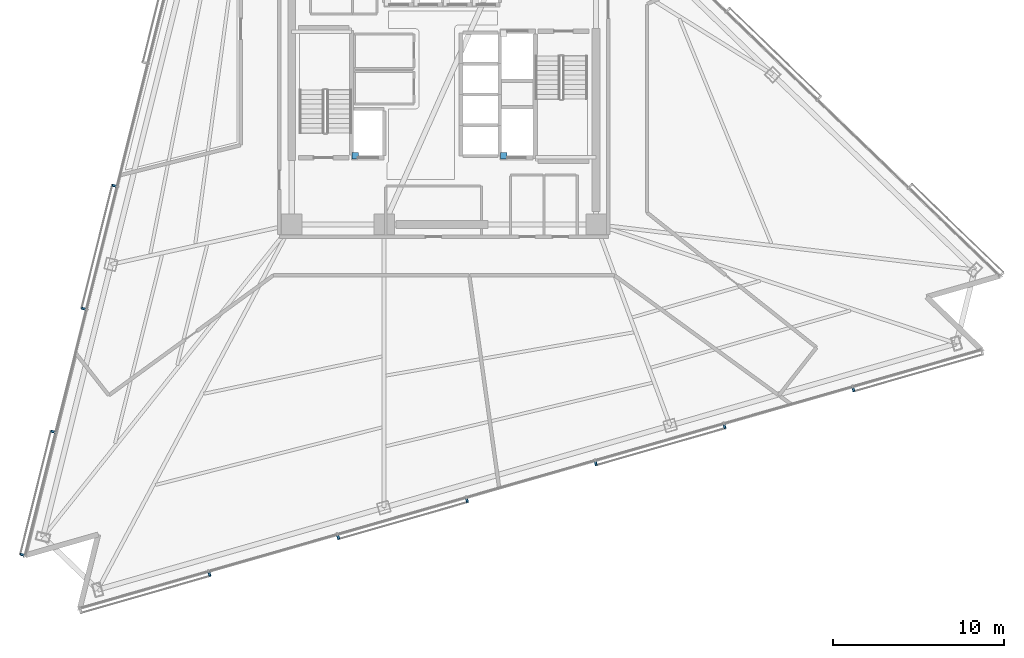
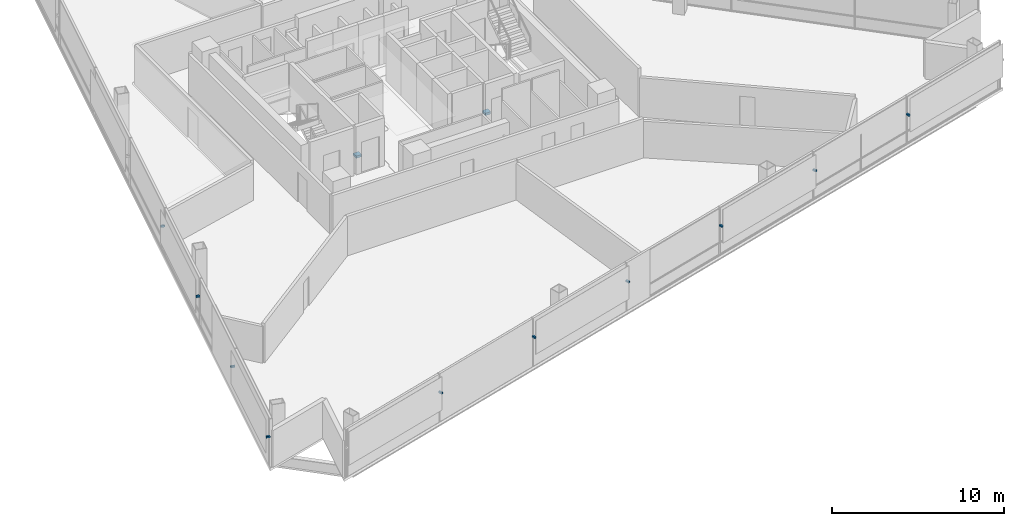
# One storey, part 12 of 18: 12 discrete accessories.
"""IFC4 building model written with IfcOpenShell, lengths in metres."""

from ifc_helpers import new_model, si_unit, direction, frame, origin, origin_2d, place, context, subcontext, project, spatial, rectangle, extrude, material, type_object, element, save


model = new_model("IFC4")

# Units and contexts
model_context = context("Model", 3, precision=1e-05, world=origin(), true_north=direction((0.0, 1.0)))
body_context = subcontext(model_context, "Body", "Model", "MODEL_VIEW")
ifc_project = project(units=[si_unit("LENGTHUNIT", "METRE"), si_unit("AREAUNIT", "SQUARE_METRE"), si_unit("VOLUMEUNIT", "CUBIC_METRE"), si_unit("PLANEANGLEUNIT", "RADIAN"), si_unit("MASSUNIT", "GRAM", prefix="KILO")], contexts=[model_context])

# Site, building, storey
site_placement = place(None, origin())
site = spatial("IfcSite", under=ifc_project, at=site_placement, CompositionType="ELEMENT")
building_placement = place(site_placement, origin())
building = spatial("IfcBuilding", under=site, at=building_placement, Name="Tharavind Bronze Gate", CompositionType="ELEMENT")
storey_placement = place(building_placement, frame((0.0, 0.0, 100.5)))
storey = spatial("IfcBuildingStorey", under=building, at=storey_placement, Name="L25", CompositionType="ELEMENT", Elevation=100.5)

# Discrete accessories
ifc_material_1 = material(Name="Galvanised Steel S355", Category="steel")
discrete_accessory_type_1 = type_object("IfcDiscreteAccessoryType", Name="LIFT GUIDE RAIL BRACKET", PredefinedType="BRACKET", material=ifc_material_1)
for number, where, z_axis, x_axis, name in (
    (1, (-5.179931640625, -3.580078125, 1.1201171875), (0.0, 0.0, 1.0), (1.0, 0.0, 0.0), "Lift FFL1 guide rail bracket at L25"),
    (2, (3.5, -3.580078125, 1.1201171875), (0.0, 0.0, 1.0), (1.0, 0.0, 0.0), "Lift SVL1 guide rail bracket at L25"),
):
    element("IfcDiscreteAccessory", number, at=place(storey_placement, frame(where, z_axis=z_axis, x_axis=x_axis)), inside=storey, type_object=discrete_accessory_type_1, Name=name, PredefinedType="BRACKET", context=body_context, shape_type="SweptSolid", body=[
        extrude(rectangle(XDim=0.360107421875, YDim=0.360107421875, at=origin_2d()), origin(), (0.0, 0.0, 1.0), 0.159912109375),
    ])
ifc_material_2 = material(Name="Stainless Steel 316", Category="steel")
discrete_accessory_type_2 = type_object("IfcDiscreteAccessoryType", Name="SOLAR SCREEN STANDOFF BRACKET", PredefinedType="BRACKET", material=ifc_material_2)
for number, where, z_axis, x_axis, name in (
    (3, (-19.282958984375, -5.338134765625, 2.094970703125), (0.0, 0.0, 1.0), (-0.2419218956, -0.970295726276, 0.0), "CW-L25-S1 solar screen bracket 5.1"),
    (4, (-21.07666015625, -12.531982421875, 2.094970703125), (0.0, 0.0, 1.0), (-0.2419218956, -0.970295726276, 0.0), "CW-L25-S1 solar screen bracket 5.2"),
    (5, (-22.870361328125, -19.72607421875, 2.094970703125), (0.0, 0.0, 1.0), (-0.2419218956, -0.970295726276, 0.0), "CW-L25-S1 solar screen bracket 7.1"),
    (6, (-24.6640625, -26.920166015625, 2.094970703125), (0.0, 0.0, 1.0), (-0.2419218956, -0.970295726276, 0.0), "CW-L25-S1 solar screen bracket 7.2"),
    (7, (-13.71240234375, -28.060546875, 2.094970703125), (0.0, 0.0, 1.0), (0.961261695938, 0.275637355817, 0.0), "CW-L25-S2 solar screen bracket 1.2"),
    (8, (-6.178955078125, -25.900390625, 2.094970703125), (0.0, 0.0, 1.0), (0.961261695938, 0.275637355817, 0.0), "CW-L25-S2 solar screen bracket 3.1"),
    (9, (1.3544921875, -23.740234375, 2.094970703125), (0.0, 0.0, 1.0), (0.961261695938, 0.275637355817, 0.0), "CW-L25-S2 solar screen bracket 3.2"),
    (10, (8.887939453125, -21.580078125, 2.094970703125), (0.0, 0.0, 1.0), (0.961261695938, 0.275637355817, 0.0), "CW-L25-S2 solar screen bracket 5.1"),
    (11, (16.42138671875, -19.419921875, 2.094970703125), (0.0, 0.0, 1.0), (0.961261695938, 0.275637355817, 0.0), "CW-L25-S2 solar screen bracket 5.2"),
    (12, (23.954833984375, -17.259765625, 2.094970703125), (0.0, 0.0, 1.0), (0.961261695938, 0.275637355817, 0.0), "CW-L25-S2 solar screen bracket 7.1"),
):
    element("IfcDiscreteAccessory", number, at=place(storey_placement, frame(where, z_axis=z_axis, x_axis=x_axis)), inside=storey, type_object=discrete_accessory_type_2, Name=name, PredefinedType="BRACKET", context=body_context, shape_type="SweptSolid", body=[
        extrude(rectangle(XDim=0.1201171875, YDim=0.239990234375, at=origin_2d()), origin(), (0.0, 0.0, 1.0), 0.1201171875),
    ])

save(model, "model.ifc")
